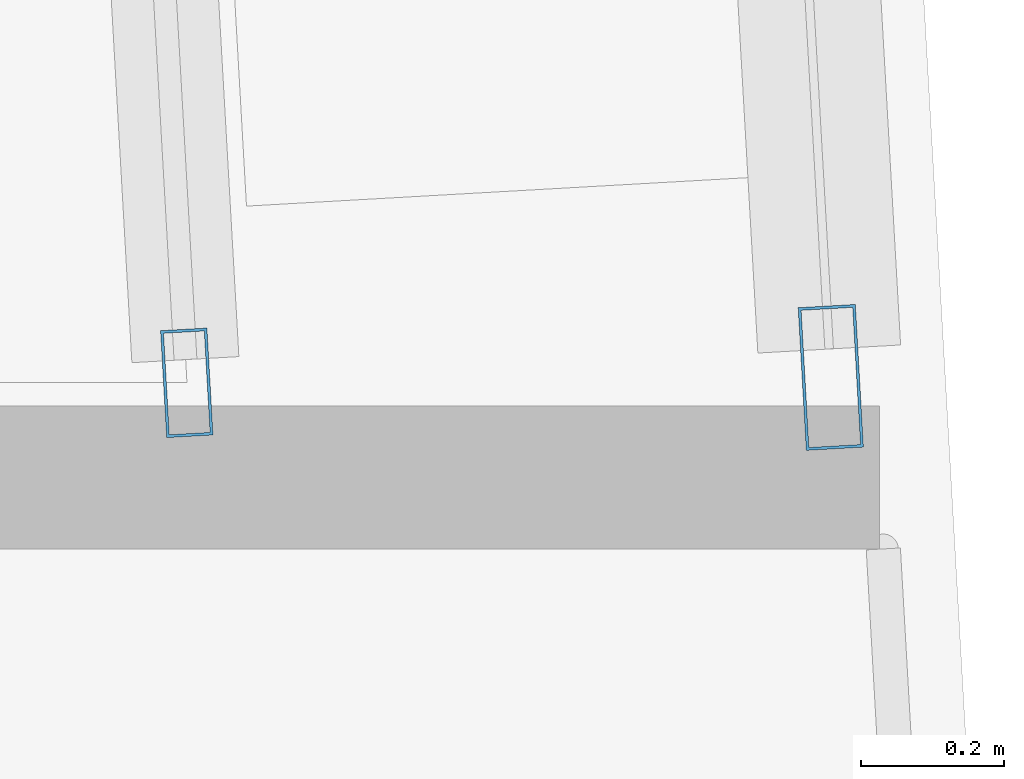
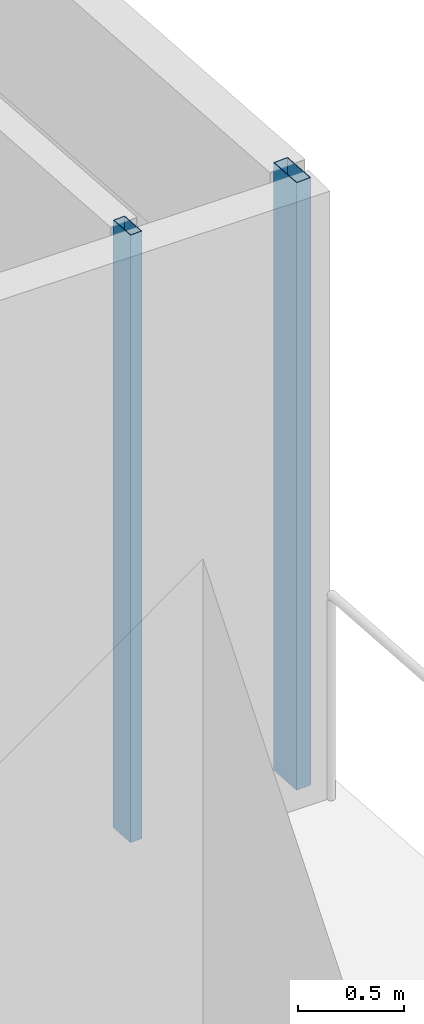
# One storey, part 13 of 34: 2 members, 2 elements without a shape of their own.
"""IFC4 building model written with IfcOpenShell, lengths in metres."""

from ifc_helpers import new_model, si_unit, direction, frame, origin, origin_2d, place, context, subcontext, project, spatial, hollow_rectangle, extrude, material, material_profile, profile_set, type_object, element, aggregate, save


model = new_model("IFC4")

# Units and contexts
model_context = context("Model", 3, precision=1e-05, world=origin(), true_north=direction((0.0, 1.0)))
body_context = subcontext(model_context, "Body", "Model", "MODEL_VIEW")
ifc_project = project(units=[si_unit("LENGTHUNIT", "METRE"), si_unit("AREAUNIT", "SQUARE_METRE"), si_unit("VOLUMEUNIT", "CUBIC_METRE"), si_unit("PLANEANGLEUNIT", "RADIAN"), si_unit("MASSUNIT", "GRAM", prefix="KILO")], contexts=[model_context])

# Site, building, storey
site_placement = place(None, origin())
site = spatial("IfcSite", under=ifc_project, at=site_placement, CompositionType="ELEMENT")
building_placement = place(site_placement, origin())
building = spatial("IfcBuilding", under=site, at=building_placement, Name="Rekha Terrace Tower", CompositionType="ELEMENT")
storey_placement = place(building_placement, frame((0.0, 0.0, 176.449951171875)))
storey = spatial("IfcBuildingStorey", under=building, at=storey_placement, Name="L44", CompositionType="ELEMENT", Elevation=176.449951171875)

# Curtain wall, member
ifc_material_1 = material(Name="Aluminium framing", Category="aluminium")
curtain_wall_type_1 = type_object("IfcCurtainWallType", Name="CW1 double skin inner glazing", PredefinedType="USERDEFINED", material=ifc_material_1)
curtain_wall_1_placement = place(storey_placement, origin())
curtain_wall_1 = element("IfcCurtainWall", 1, at=curtain_wall_1_placement, inside=storey, type_object=curtain_wall_type_1, Name="CW1 double skin inner glazing", ObjectType="DOUBLE SKIN INNER GLAZING", PredefinedType="USERDEFINED")
ifc_material_2 = material(Name="Aluminium mullion section", Category="aluminium")
ifc_material_profile_1 = material_profile(ifc_material_2, hollow_rectangle(XDim=0.06494140625, YDim=0.14990234375, WallThickness=0.00390625, at=origin_2d()), Name="AL RHS 65x150")
ifc_profile_set_1 = profile_set([ifc_material_profile_1], Name="Aluminium mullion section")
member_type_1 = type_object("IfcMemberType", Name="CW1 mullion RHS 65 x 150", PredefinedType="MULLION", material=ifc_profile_set_1)
member_1_placement = place(storey_placement, frame((60.28466796875, 44.660400390625, 0.0), z_axis=(0.0, 0.0, 1.0), x_axis=(-0.998392782918, -0.056673194877, 0.0)))
member_1 = element("IfcMember", 2, at=member_1_placement, type_object=member_type_1, Name="CW1 mullion 1", PredefinedType="MULLION", context=body_context, shape_type="SweptSolid", body=[
    extrude(hollow_rectangle(XDim=0.06494140625, YDim=0.14990234375, WallThickness=0.00390625, at=origin_2d()), origin(), (0.0, 0.0, 1.0), 3.5),
])
aggregate(curtain_wall_1, [member_1])

curtain_wall_type_2 = type_object("IfcCurtainWallType", Name="CW2 double skin outer glazing", PredefinedType="USERDEFINED", material=ifc_material_1)
curtain_wall_2_placement = place(storey_placement, origin())
curtain_wall_2 = element("IfcCurtainWall", 3, at=curtain_wall_2_placement, inside=storey, type_object=curtain_wall_type_2, Name="CW2 double skin outer glazing", ObjectType="DOUBLE SKIN OUTER GLAZING", PredefinedType="USERDEFINED")
ifc_material_profile_2 = material_profile(ifc_material_2, hollow_rectangle(XDim=0.080078125, YDim=0.199951171875, WallThickness=0.00390625, at=origin_2d()), Name="AL RHS 80x200")
ifc_profile_set_2 = profile_set([ifc_material_profile_2], Name="Aluminium mullion section")
member_type_2 = type_object("IfcMemberType", Name="CW2 mullion RHS 80 x 200", PredefinedType="MULLION", material=ifc_profile_set_2)
member_2_placement = place(storey_placement, frame((61.185546875, 44.66796875, 0.0), z_axis=(0.0, 0.0, 1.0), x_axis=(-0.998392782919, -0.05667319486, 0.0)))
member_2 = element("IfcMember", 4, at=member_2_placement, type_object=member_type_2, Name="CW2 mullion 1", PredefinedType="MULLION", context=body_context, shape_type="SweptSolid", body=[
    extrude(hollow_rectangle(XDim=0.080078125, YDim=0.199951171875, WallThickness=0.00390625, at=origin_2d()), origin(), (0.0, 0.0, 1.0), 3.5),
])
aggregate(curtain_wall_2, [member_2])

save(model, "model.ifc")
